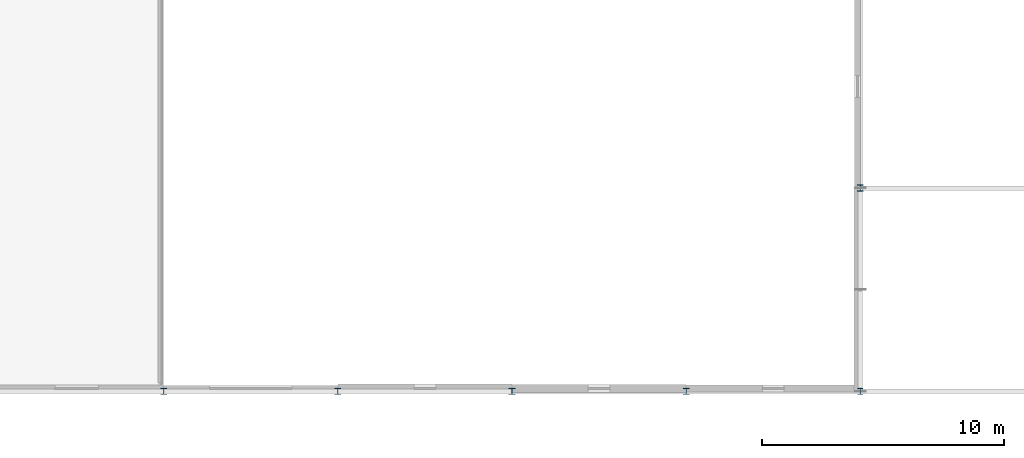
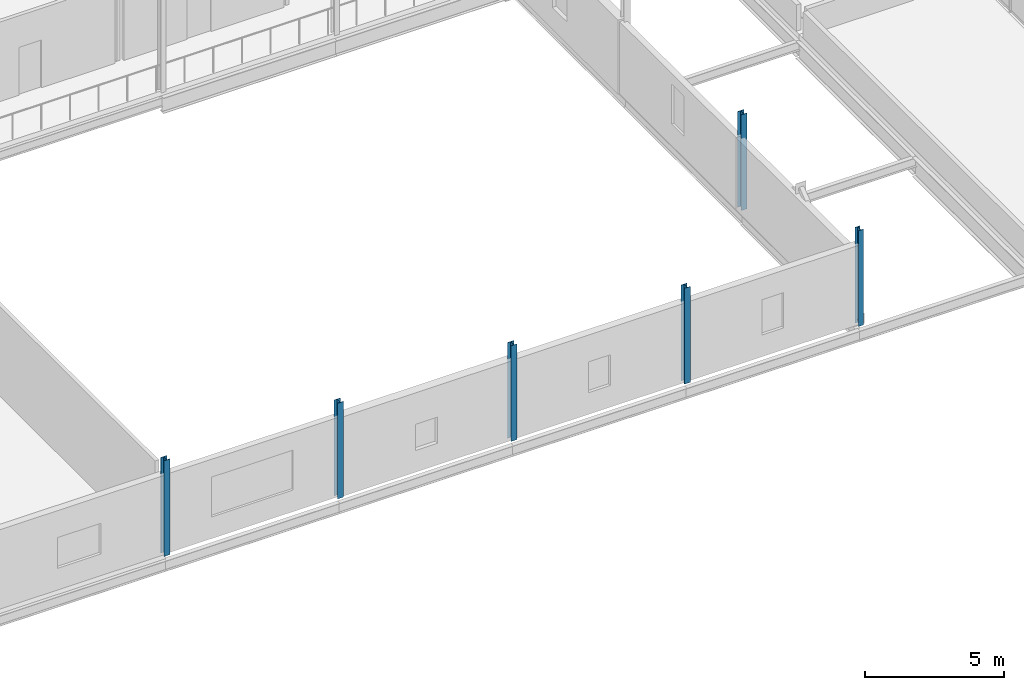
# One storey, part 7 of 119: 6 columns.
"""IFC4 building model written with IfcOpenShell, lengths in metres."""

import ifcopenshell
import ifcopenshell.guid

model = None  # the IFC model being written
_history = None  # IfcOwnerHistory: only IFC2X3 demands one
_inside = {}  # id of a spatial element -> (the spatial element, [elements in it])
_under = {}  # id of a project, library or spatial element -> (it, [spatial elements below it])
_declared = {}  # id of a project -> (the project, [libraries it declares])
_typed = {}  # id of a type object -> (the type object, [elements of that type])
_made_of = {}  # id of a material, layer set ... -> (it, [elements and type objects made of it])


def new_model(schema):
    """Start an empty IFC model of exactly this schema.

    Asked for "IFC4X3", IfcOpenShell would pick the latest addendum, in which some entities
    have other attributes; the version numbers below select the first issue.
    IFC2X3 requires an IfcOwnerHistory on every rooted entity: one is made here for all.
    """
    global model, _history
    if schema == "IFC4X3":
        model = ifcopenshell.file(schema_version=(4, 3, 0, 0))
    else:
        model = ifcopenshell.file(schema=schema)
    _inside.clear()
    _under.clear()
    _declared.clear()
    _typed.clear()
    _made_of.clear()
    _history = None
    if model.schema == "IFC2X3":
        org = make("IfcOrganization", Name="unknown")
        user = make(
            "IfcPersonAndOrganization",
            ThePerson=make("IfcPerson", FamilyName="unknown"),
            TheOrganization=org,
        )
        app = make(
            "IfcApplication",
            ApplicationDeveloper=org,
            Version="unknown",
            ApplicationFullName="unknown",
            ApplicationIdentifier="unknown",
        )
        _history = make(
            "IfcOwnerHistory",
            OwningUser=user,
            OwningApplication=app,
            ChangeAction="ADDED",
            CreationDate=0,
        )
    return model


def make(cls, **values):
    """One entity of the class cls with the attributes given. An attribute that is None is left unset."""
    return model.create_entity(
        cls, **{name: value for name, value in values.items() if value is not None}
    )


def rooted(cls, **values):
    """An entity with a GlobalId (a new one), such as an element, a storey or a relation."""
    return make(cls, GlobalId=ifcopenshell.guid.new(), OwnerHistory=_history, **values)


def si_unit(unit_type, name, prefix=None):
    """IfcSIUnit, for example si_unit("LENGTHUNIT", "METRE", prefix="MILLI")."""
    return make("IfcSIUnit", UnitType=unit_type, Prefix=prefix, Name=name)


def assignment(units):
    """IfcUnitAssignment: the units of a project."""
    return None if units is None else make("IfcUnitAssignment", Units=units)


def point(xyz):
    """IfcCartesianPoint."""
    return None if xyz is None else make("IfcCartesianPoint", Coordinates=xyz)


def direction(xyz):
    """IfcDirection."""
    return None if xyz is None else make("IfcDirection", DirectionRatios=xyz)


def frame(location, z_axis=None, x_axis=None):
    """IfcAxis2Placement3D, a coordinate frame: its origin and axes. An axis left out is left unset."""
    return make(
        "IfcAxis2Placement3D",
        Location=point(location),
        Axis=direction(z_axis),
        RefDirection=direction(x_axis),
    )


def frame_2d(location, x_axis=None):
    """IfcAxis2Placement2D, a coordinate frame in the plane: its origin and x axis."""
    return make(
        "IfcAxis2Placement2D", Location=point(location), RefDirection=direction(x_axis)
    )


def origin():
    """The frame at (0, 0, 0) with its axes left unset."""
    return frame((0.0, 0.0, 0.0))


def origin_2d():
    """The frame at (0, 0) in the plane with its x axis left unset."""
    return frame_2d((0.0, 0.0))


def place(relative_to, where):
    """IfcLocalPlacement: puts the frame where relative to a parent placement (None: the world)."""
    return make(
        "IfcLocalPlacement", PlacementRelTo=relative_to, RelativePlacement=where
    )


def context(
    kind, dimensions, precision=None, world=None, true_north=None, identifier=None
):
    """IfcGeometricRepresentationContext, for example the 3D "Model" context."""
    return make(
        "IfcGeometricRepresentationContext",
        ContextIdentifier=identifier,
        ContextType=kind,
        CoordinateSpaceDimension=dimensions,
        Precision=precision,
        WorldCoordinateSystem=world,
        TrueNorth=true_north,
    )


def subcontext(parent, identifier, kind, view, scale=None):
    """IfcGeometricRepresentationSubContext, for example "Body" below "Model"."""
    return make(
        "IfcGeometricRepresentationSubContext",
        ContextIdentifier=identifier,
        ContextType=kind,
        ParentContext=parent,
        TargetScale=scale,
        TargetView=view,
    )


def project(units=None, contexts=None):
    """IfcProject with its units and contexts."""
    return rooted(
        "IfcProject",
        Name="project",
        RepresentationContexts=contexts,
        UnitsInContext=assignment(units),
    )


def spatial(cls, under=None, at=None, **own):
    """A site, building, storey or space (cls), placed at a placement, below another one or the project."""
    s = rooted(cls, ObjectPlacement=at, **own)
    if under is not None:
        _under.setdefault(under.id(), (under, []))[1].append(s)
    return s


def profile(cls, at=None, kind="AREA", **sizes):
    """A parametric profile (cls). Its sizes go by their IFC names, for example OverallWidth=200.0."""
    return make(cls, ProfileType=kind, Position=at, **sizes)


def i_section(**sizes):
    """IfcIShapeProfileDef."""
    return profile("IfcIShapeProfileDef", **sizes)


def extrude(swept, where, along, depth):
    """IfcExtrudedAreaSolid: the profile swept, set in the frame where, extruded along a direction by depth."""
    return make(
        "IfcExtrudedAreaSolid",
        SweptArea=swept,
        Position=where,
        ExtrudedDirection=direction(along),
        Depth=depth,
    )


def shape(context_of_items, identifier, shape_type, items):
    """IfcShapeRepresentation: the items that make up one representation, for example the "Body"."""
    return make(
        "IfcShapeRepresentation",
        ContextOfItems=context_of_items,
        RepresentationIdentifier=identifier,
        RepresentationType=shape_type,
        Items=items,
    )


def material(Name=None, Category=None):
    """IfcMaterial."""
    return make("IfcMaterial", Name=Name, Category=Category)


def material_profile(
    of_material, cross_section, Name=None, Category=None, Priority=None
):
    """IfcMaterialProfile: a cross section and its material."""
    return make(
        "IfcMaterialProfile",
        Name=Name,
        Material=of_material,
        Profile=cross_section,
        Priority=Priority,
        Category=Category,
    )


def profile_set(profiles, Name=None, composite=None):
    """IfcMaterialProfileSet."""
    return make(
        "IfcMaterialProfileSet",
        Name=Name,
        MaterialProfiles=profiles,
        CompositeProfile=composite,
    )


def made_of(thing, what):
    """Note that an element or type object is made of a material, layer set ...; save() writes the relation."""
    if what is not None:
        _made_of.setdefault(what.id(), (what, []))[1].append(thing)
    return thing


def type_object(cls, material=None, **own):
    """A type object (cls), such as IfcWallType, which elements share."""
    return made_of(rooted(cls, **own), material)


def element(
    cls,
    number,
    at=None,
    inside=None,
    cuts=None,
    type_object=None,
    material=None,
    context=None,
    identifier="Body",
    shape_type=None,
    held_by="IfcProductDefinitionShape",
    body=None,
    shapes=None,
    **own,
):
    """One element of the class cls, such as IfcWall. Its Tag is "e" and its number.

    at: its placement. inside: the storey or other place that contains it. cuts: it is an
    opening in that element (IfcRelVoidsElement). A single representation is given by context,
    identifier, shape_type and body (its items); several are given by shapes. held_by: the class
    of the entity that holds the representations. save() writes the other relations.
    """
    e = rooted(cls, Tag="e%d" % number, ObjectPlacement=at, **own)
    if body is not None:
        shapes = [shape(context, identifier, shape_type, body)]
    if shapes is not None:
        e.Representation = make(held_by, Representations=shapes)
    if inside is not None:
        _inside.setdefault(inside.id(), (inside, []))[1].append(e)
    if cuts is not None:
        rooted(
            "IfcRelVoidsElement", RelatingBuildingElement=cuts, RelatedOpeningElement=e
        )
    if type_object is not None:
        _typed.setdefault(type_object.id(), (type_object, []))[1].append(e)
    return made_of(e, material)


def aggregate(whole, parts):
    """IfcRelAggregates: a whole, such as a stair, and the parts it consists of."""
    return rooted("IfcRelAggregates", RelatingObject=whole, RelatedObjects=parts)


def save(model, path):
    """Write the relations noted so far, then the file.

    IfcRelAggregates (storeys below a building ...), IfcRelContainedInSpatialStructure (elements
    in a storey), IfcRelDefinesByType, IfcRelAssociatesMaterial and IfcRelDeclares: one each for
    every whole, place, type object, material and project.
    """
    for whole, parts in _under.values():
        aggregate(whole, parts)
    for where, things in _inside.values():
        rooted(
            "IfcRelContainedInSpatialStructure",
            RelatedElements=things,
            RelatingStructure=where,
        )
    for kind, things in _typed.values():
        rooted("IfcRelDefinesByType", RelatedObjects=things, RelatingType=kind)
    for what, things in _made_of.values():
        rooted("IfcRelAssociatesMaterial", RelatedObjects=things, RelatingMaterial=what)
    for by, libraries in _declared.values():
        rooted("IfcRelDeclares", RelatingContext=by, RelatedDefinitions=libraries)
    model.write(path)


model = new_model("IFC4")

# Units and contexts
model_context = context("Model", 3, precision=1e-05, world=origin(), true_north=direction((0.0, 1.0)))
body_context = subcontext(model_context, "Body", "Model", "MODEL_VIEW")
ifc_project = project(units=[si_unit("LENGTHUNIT", "METRE"), si_unit("AREAUNIT", "SQUARE_METRE"), si_unit("VOLUMEUNIT", "CUBIC_METRE"), si_unit("PLANEANGLEUNIT", "RADIAN"), si_unit("MASSUNIT", "GRAM", prefix="KILO")], contexts=[model_context])

# Site, building, storey
site_placement = place(None, origin())
site = spatial("IfcSite", under=ifc_project, at=site_placement, CompositionType="ELEMENT")
building_placement = place(site_placement, origin())
building = spatial("IfcBuilding", under=site, at=building_placement, Name="Qelthora Terrace Specialist Clinic", CompositionType="ELEMENT")
storey_placement = place(building_placement, frame((0.0, 0.0, 4.800048828125)))
storey = spatial("IfcBuildingStorey", under=building, at=storey_placement, Name="L01", CompositionType="ELEMENT", Elevation=4.800048828125)

# Columns
ifc_material = material(Name="Steel S355", Category="steel")
ifc_material_profile_1 = material_profile(ifc_material, i_section(OverallWidth=0.2041015625, OverallDepth=0.257080078125, WebThickness=0.0087890625, FlangeThickness=0.015625, FilletRadius=0.012939453125, at=origin_2d()), Name="W250X67")
ifc_profile_set_1 = profile_set([ifc_material_profile_1], Name="Steel S355")
column_type_1 = type_object("IfcColumnType", Name="COL-W250X67", PredefinedType="COLUMN", material=ifc_profile_set_1)
column_1_placement = place(storey_placement, frame((93.60009765625, 0.0, 0.0), z_axis=(0.0, 0.0, 1.0), x_axis=(1.0, 0.0, 0.0)))
element("IfcColumn", 1, at=column_1_placement, inside=storey, type_object=column_type_1, Name="Column L01-147", PredefinedType="COLUMN", context=body_context, shape_type="SweptSolid", body=[
    extrude(i_section(OverallWidth=0.2041015625, OverallDepth=0.257080078125, WebThickness=0.0087890625, FlangeThickness=0.015625, FilletRadius=0.012939453125, at=origin_2d()), origin(), (0.0, 0.0, 1.0), 4.199951171875),
])
ifc_material_profile_2 = material_profile(ifc_material, i_section(OverallWidth=0.25390625, OverallDepth=0.2529296875, WebThickness=0.008544921875, FlangeThickness=0.01416015625, FilletRadius=0.012939453125, at=origin_2d()), Name="W250X73")
ifc_profile_set_2 = profile_set([ifc_material_profile_2], Name="Steel S355")
column_type_2 = type_object("IfcColumnType", Name="COL-W250X73", PredefinedType="COLUMN", material=ifc_profile_set_2)
for number, where, z_axis, x_axis, name in (
    (2, (64.800048828125, 0.0, 0.0), (0.0, 0.0, 1.0), (1.0, 0.0, 0.0), "Column L01-114"),
    (3, (72.0, 0.0, 0.0), (0.0, 0.0, 1.0), (1.0, 0.0, 0.0), "Column L01-122"),
    (4, (79.199951171875, 0.0, 0.0), (0.0, 0.0, 1.0), (1.0, 0.0, 0.0), "Column L01-130"),
    (5, (86.39990234375, 0.0, 0.0), (0.0, 0.0, 1.0), (1.0, 0.0, 0.0), "Column L01-138"),
):
    element("IfcColumn", number, at=place(storey_placement, frame(where, z_axis=z_axis, x_axis=x_axis)), inside=storey, type_object=column_type_2, Name=name, PredefinedType="COLUMN", context=body_context, shape_type="SweptSolid", body=[
        extrude(i_section(OverallWidth=0.25390625, OverallDepth=0.2529296875, WebThickness=0.008544921875, FlangeThickness=0.01416015625, FilletRadius=0.012939453125, at=origin_2d()), origin(), (0.0, 0.0, 1.0), 4.199951171875),
    ])
ifc_material_profile_3 = material_profile(ifc_material, i_section(OverallWidth=0.256103515625, OverallDepth=0.260009765625, WebThickness=0.0107421875, FlangeThickness=0.017333984375, FilletRadius=0.012939453125, at=origin_2d()), Name="W250X89")
ifc_profile_set_3 = profile_set([ifc_material_profile_3], Name="Steel S355")
column_type_3 = type_object("IfcColumnType", Name="COL-W250X89", PredefinedType="COLUMN", material=ifc_profile_set_3)
column_2_placement = place(storey_placement, frame((93.60009765625, 8.39990234375, 0.0), z_axis=(0.0, 0.0, 1.0), x_axis=(1.0, 0.0, 0.0)))
element("IfcColumn", 6, at=column_2_placement, inside=storey, type_object=column_type_3, Name="Column L01-148", PredefinedType="COLUMN", context=body_context, shape_type="SweptSolid", body=[
    extrude(i_section(OverallWidth=0.256103515625, OverallDepth=0.260009765625, WebThickness=0.0107421875, FlangeThickness=0.017333984375, FilletRadius=0.012939453125, at=origin_2d()), origin(), (0.0, 0.0, 1.0), 4.199951171875),
])

save(model, "model.ifc")
